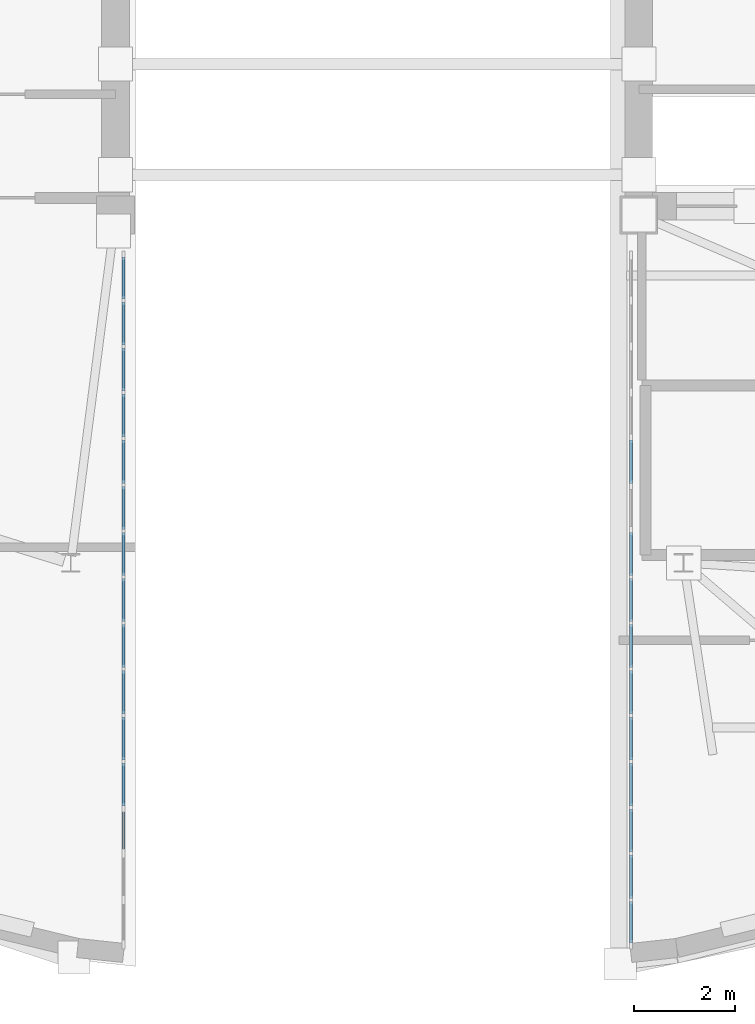
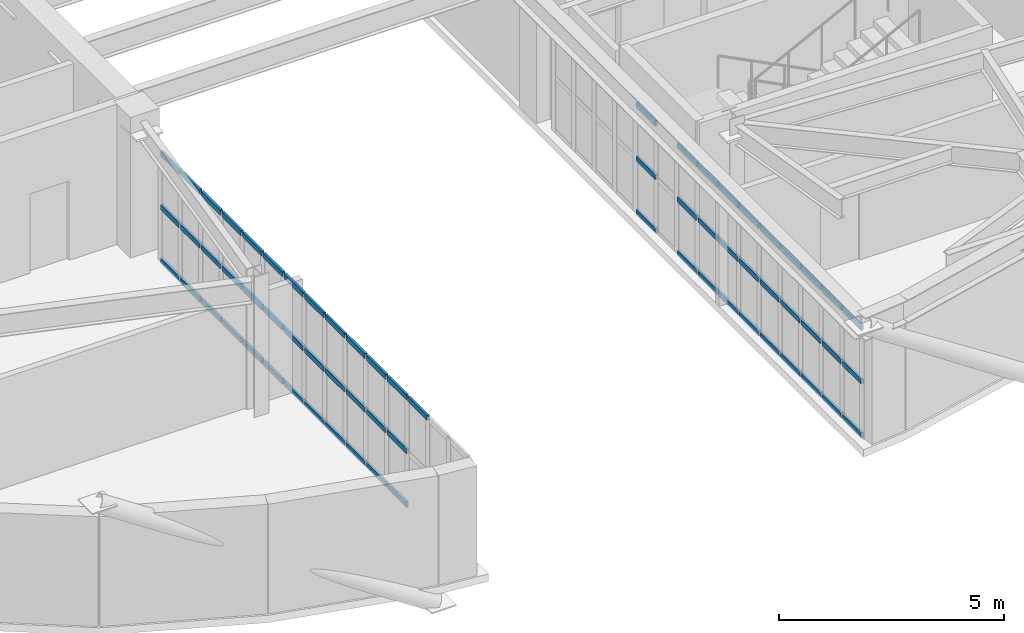
# One storey, part 6 of 13: 67 members, 2 elements without a shape of their own.
"""IFC4 building model written with IfcOpenShell, lengths in metres."""

from ifc_helpers import new_model, si_unit, direction, frame, origin, origin_2d, place, context, subcontext, project, spatial, rectangle, extrude, material, layer, layer_set, material_profile, profile_set, type_object, element, aggregate, save


model = new_model("IFC4")

# Units and contexts
model_context = context("Model", 3, precision=1e-05, world=origin(), true_north=direction((0.0, 1.0)))
body_context = subcontext(model_context, "Body", "Model", "MODEL_VIEW")
ifc_project = project(units=[si_unit("LENGTHUNIT", "METRE"), si_unit("AREAUNIT", "SQUARE_METRE"), si_unit("VOLUMEUNIT", "CUBIC_METRE"), si_unit("PLANEANGLEUNIT", "RADIAN"), si_unit("MASSUNIT", "GRAM", prefix="KILO")], contexts=[model_context])

# Site, building, storey
site_placement = place(None, origin())
site = spatial("IfcSite", under=ifc_project, at=site_placement, CompositionType="ELEMENT")
building_placement = place(site_placement, origin())
building = spatial("IfcBuilding", under=site, at=building_placement, Name="Keldmark Tower", CompositionType="ELEMENT")
storey_placement = place(building_placement, frame((0.0, 0.0, 280.60009765625)))
storey = spatial("IfcBuildingStorey", under=building, at=storey_placement, Name="L79", CompositionType="ELEMENT", Elevation=280.60009765625)

# Curtain wall, members
ifc_material_1 = material(Name="Unitized Thermally Broken Aluminum and Triple Low-E Glazing", Category="aluminium")
ifc_layer = layer(ifc_material_1, 0.219970703125)
ifc_layer_set = layer_set([ifc_layer], Name="Unitized Thermally Broken Aluminum and Triple Low-E Glazing")
curtain_wall_type = type_object("IfcCurtainWallType", Name="Split-Top Crown Lantern Curtain Wall System", PredefinedType="NOTDEFINED", material=ifc_layer_set)
curtain_wall_1_placement = place(storey_placement, origin())
curtain_wall_1 = element("IfcCurtainWall", 1, at=curtain_wall_1_placement, inside=storey, type_object=curtain_wall_type, Name="L79 Split-Top Crown Lantern Curtain Wall System CW-L79-ES14-1", PredefinedType="NOTDEFINED")
ifc_material_2 = material(Name="Extruded Aluminum Alloy 6063-T6", Category="aluminium")
ifc_material_profile = material_profile(ifc_material_2, rectangle(XDim=0.06005859375, YDim=0.139892578125, at=origin_2d()), Name="CWT60X140")
ifc_profile_set = profile_set([ifc_material_profile], Name="Extruded Aluminum Alloy 6063-T6")
member_type = type_object("IfcMemberType", Name="Curtain Wall Horizontal Transom 60x140", PredefinedType="USERDEFINED", material=ifc_profile_set)
member_1_placement = place(storey_placement, frame((5.0400390625, -3.07421875, 0.02978515625), z_axis=(0.0, -1.0, 0.0), x_axis=(1.0, 0.0, 0.0)))
member_1 = element("IfcMember", 2, at=member_1_placement, type_object=member_type, Name="CW transom 5.1", ObjectType="TRANSOM", PredefinedType="USERDEFINED", context=body_context, shape_type="SweptSolid", body=[
    extrude(rectangle(XDim=0.06005859375, YDim=0.139892578125, at=origin_2d()), origin(), (0.0, 0.0, 1.0), 0.8564453125),
])
member_2_placement = place(storey_placement, frame((5.0400390625, -3.07421875, 1.48291015625), z_axis=(0.0, -1.0, 0.0), x_axis=(1.0, 0.0, 0.0)))
member_2 = element("IfcMember", 3, at=member_2_placement, type_object=member_type, Name="CW transom 5.2", ObjectType="TRANSOM", PredefinedType="USERDEFINED", context=body_context, shape_type="SweptSolid", body=[
    extrude(rectangle(XDim=0.06005859375, YDim=0.139892578125, at=origin_2d()), origin(), (0.0, 0.0, 1.0), 0.8564453125),
])
member_3_placement = place(storey_placement, frame((5.0400390625, -3.07421875, 2.935791015625), z_axis=(0.0, -1.0, 0.0), x_axis=(1.0, 0.0, 0.0)))
member_3 = element("IfcMember", 4, at=member_3_placement, type_object=member_type, Name="CW transom 5.3", ObjectType="TRANSOM", PredefinedType="USERDEFINED", context=body_context, shape_type="SweptSolid", body=[
    extrude(rectangle(XDim=0.06005859375, YDim=0.139892578125, at=origin_2d()), origin(), (0.0, 0.0, 1.0), 0.8564453125),
])
member_4_placement = place(storey_placement, frame((5.0400390625, -4.906982421875, 0.02978515625), z_axis=(0.0, -1.0, 0.0), x_axis=(1.0, 0.0, 0.0)))
member_4 = element("IfcMember", 5, at=member_4_placement, type_object=member_type, Name="CW transom 7.1", ObjectType="TRANSOM", PredefinedType="USERDEFINED", context=body_context, shape_type="SweptSolid", body=[
    extrude(rectangle(XDim=0.06005859375, YDim=0.139892578125, at=origin_2d()), origin(), (0.0, 0.0, 1.0), 0.8564453125),
])
member_5_placement = place(storey_placement, frame((5.0400390625, -4.906982421875, 1.48291015625), z_axis=(0.0, -1.0, 0.0), x_axis=(1.0, 0.0, 0.0)))
member_5 = element("IfcMember", 6, at=member_5_placement, type_object=member_type, Name="CW transom 7.2", ObjectType="TRANSOM", PredefinedType="USERDEFINED", context=body_context, shape_type="SweptSolid", body=[
    extrude(rectangle(XDim=0.06005859375, YDim=0.139892578125, at=origin_2d()), origin(), (0.0, 0.0, 1.0), 0.8564453125),
])
member_6_placement = place(storey_placement, frame((5.0400390625, -4.906982421875, 2.935791015625), z_axis=(0.0, -1.0, 0.0), x_axis=(1.0, 0.0, 0.0)))
member_6 = element("IfcMember", 7, at=member_6_placement, type_object=member_type, Name="CW transom 7.3", ObjectType="TRANSOM", PredefinedType="USERDEFINED", context=body_context, shape_type="SweptSolid", body=[
    extrude(rectangle(XDim=0.06005859375, YDim=0.139892578125, at=origin_2d()), origin(), (0.0, 0.0, 1.0), 0.8564453125),
])
member_7_placement = place(storey_placement, frame((5.0400390625, -5.823486328125, 0.02978515625), z_axis=(0.0, -1.0, 0.0), x_axis=(1.0, 0.0, 0.0)))
member_7 = element("IfcMember", 8, at=member_7_placement, type_object=member_type, Name="CW transom 8.1", ObjectType="TRANSOM", PredefinedType="USERDEFINED", context=body_context, shape_type="SweptSolid", body=[
    extrude(rectangle(XDim=0.06005859375, YDim=0.139892578125, at=origin_2d()), origin(), (0.0, 0.0, 1.0), 0.8564453125),
])
member_8_placement = place(storey_placement, frame((5.0400390625, -5.823486328125, 1.48291015625), z_axis=(0.0, -1.0, 0.0), x_axis=(1.0, 0.0, 0.0)))
member_8 = element("IfcMember", 9, at=member_8_placement, type_object=member_type, Name="CW transom 8.2", ObjectType="TRANSOM", PredefinedType="USERDEFINED", context=body_context, shape_type="SweptSolid", body=[
    extrude(rectangle(XDim=0.06005859375, YDim=0.139892578125, at=origin_2d()), origin(), (0.0, 0.0, 1.0), 0.8564453125),
])
member_9_placement = place(storey_placement, frame((5.0400390625, -5.823486328125, 2.935791015625), z_axis=(0.0, -1.0, 0.0), x_axis=(1.0, 0.0, 0.0)))
member_9 = element("IfcMember", 10, at=member_9_placement, type_object=member_type, Name="CW transom 8.3", ObjectType="TRANSOM", PredefinedType="USERDEFINED", context=body_context, shape_type="SweptSolid", body=[
    extrude(rectangle(XDim=0.06005859375, YDim=0.139892578125, at=origin_2d()), origin(), (0.0, 0.0, 1.0), 0.8564453125),
])
member_10_placement = place(storey_placement, frame((5.0400390625, -6.73974609375, 0.02978515625), z_axis=(0.0, -1.0, 0.0), x_axis=(1.0, 0.0, 0.0)))
member_10 = element("IfcMember", 11, at=member_10_placement, type_object=member_type, Name="CW transom 9.1", ObjectType="TRANSOM", PredefinedType="USERDEFINED", context=body_context, shape_type="SweptSolid", body=[
    extrude(rectangle(XDim=0.06005859375, YDim=0.139892578125, at=origin_2d()), origin(), (0.0, 0.0, 1.0), 0.8564453125),
])
member_11_placement = place(storey_placement, frame((5.0400390625, -6.73974609375, 1.48291015625), z_axis=(0.0, -1.0, 0.0), x_axis=(1.0, 0.0, 0.0)))
member_11 = element("IfcMember", 12, at=member_11_placement, type_object=member_type, Name="CW transom 9.2", ObjectType="TRANSOM", PredefinedType="USERDEFINED", context=body_context, shape_type="SweptSolid", body=[
    extrude(rectangle(XDim=0.06005859375, YDim=0.139892578125, at=origin_2d()), origin(), (0.0, 0.0, 1.0), 0.8564453125),
])
member_12_placement = place(storey_placement, frame((5.0400390625, -6.73974609375, 2.935791015625), z_axis=(0.0, -1.0, 0.0), x_axis=(1.0, 0.0, 0.0)))
member_12 = element("IfcMember", 13, at=member_12_placement, type_object=member_type, Name="CW transom 9.3", ObjectType="TRANSOM", PredefinedType="USERDEFINED", context=body_context, shape_type="SweptSolid", body=[
    extrude(rectangle(XDim=0.06005859375, YDim=0.139892578125, at=origin_2d()), origin(), (0.0, 0.0, 1.0), 0.8564453125),
])
member_13_placement = place(storey_placement, frame((5.0400390625, -7.65625, 0.02978515625), z_axis=(0.0, -1.0, 0.0), x_axis=(1.0, 0.0, 0.0)))
member_13 = element("IfcMember", 14, at=member_13_placement, type_object=member_type, Name="CW transom 10.1", ObjectType="TRANSOM", PredefinedType="USERDEFINED", context=body_context, shape_type="SweptSolid", body=[
    extrude(rectangle(XDim=0.06005859375, YDim=0.139892578125, at=origin_2d()), origin(), (0.0, 0.0, 1.0), 0.8564453125),
])
member_14_placement = place(storey_placement, frame((5.0400390625, -7.65625, 1.48291015625), z_axis=(0.0, -1.0, 0.0), x_axis=(1.0, 0.0, 0.0)))
member_14 = element("IfcMember", 15, at=member_14_placement, type_object=member_type, Name="CW transom 10.2", ObjectType="TRANSOM", PredefinedType="USERDEFINED", context=body_context, shape_type="SweptSolid", body=[
    extrude(rectangle(XDim=0.06005859375, YDim=0.139892578125, at=origin_2d()), origin(), (0.0, 0.0, 1.0), 0.8564453125),
])
member_15_placement = place(storey_placement, frame((5.0400390625, -7.65625, 2.935791015625), z_axis=(0.0, -1.0, 0.0), x_axis=(1.0, 0.0, 0.0)))
member_15 = element("IfcMember", 16, at=member_15_placement, type_object=member_type, Name="CW transom 10.3", ObjectType="TRANSOM", PredefinedType="USERDEFINED", context=body_context, shape_type="SweptSolid", body=[
    extrude(rectangle(XDim=0.06005859375, YDim=0.139892578125, at=origin_2d()), origin(), (0.0, 0.0, 1.0), 0.8564453125),
])
member_16_placement = place(storey_placement, frame((5.0400390625, -8.57275390625, 0.02978515625), z_axis=(0.0, -1.0, 0.0), x_axis=(1.0, 0.0, 0.0)))
member_16 = element("IfcMember", 17, at=member_16_placement, type_object=member_type, Name="CW transom 11.1", ObjectType="TRANSOM", PredefinedType="USERDEFINED", context=body_context, shape_type="SweptSolid", body=[
    extrude(rectangle(XDim=0.06005859375, YDim=0.139892578125, at=origin_2d()), origin(), (0.0, 0.0, 1.0), 0.8564453125),
])
member_17_placement = place(storey_placement, frame((5.0400390625, -8.57275390625, 1.48291015625), z_axis=(0.0, -1.0, 0.0), x_axis=(1.0, 0.0, 0.0)))
member_17 = element("IfcMember", 18, at=member_17_placement, type_object=member_type, Name="CW transom 11.2", ObjectType="TRANSOM", PredefinedType="USERDEFINED", context=body_context, shape_type="SweptSolid", body=[
    extrude(rectangle(XDim=0.06005859375, YDim=0.139892578125, at=origin_2d()), origin(), (0.0, 0.0, 1.0), 0.8564453125),
])
member_18_placement = place(storey_placement, frame((5.0400390625, -8.57275390625, 2.935791015625), z_axis=(0.0, -1.0, 0.0), x_axis=(1.0, 0.0, 0.0)))
member_18 = element("IfcMember", 19, at=member_18_placement, type_object=member_type, Name="CW transom 11.3", ObjectType="TRANSOM", PredefinedType="USERDEFINED", context=body_context, shape_type="SweptSolid", body=[
    extrude(rectangle(XDim=0.06005859375, YDim=0.139892578125, at=origin_2d()), origin(), (0.0, 0.0, 1.0), 0.8564453125),
])
member_19_placement = place(storey_placement, frame((5.0400390625, -9.489013671875, 0.02978515625), z_axis=(0.0, -1.0, 0.0), x_axis=(1.0, 0.0, 0.0)))
member_19 = element("IfcMember", 20, at=member_19_placement, type_object=member_type, Name="CW transom 12.1", ObjectType="TRANSOM", PredefinedType="USERDEFINED", context=body_context, shape_type="SweptSolid", body=[
    extrude(rectangle(XDim=0.06005859375, YDim=0.139892578125, at=origin_2d()), origin(), (0.0, 0.0, 1.0), 0.8564453125),
])
member_20_placement = place(storey_placement, frame((5.0400390625, -9.489013671875, 1.48291015625), z_axis=(0.0, -1.0, 0.0), x_axis=(1.0, 0.0, 0.0)))
member_20 = element("IfcMember", 21, at=member_20_placement, type_object=member_type, Name="CW transom 12.2", ObjectType="TRANSOM", PredefinedType="USERDEFINED", context=body_context, shape_type="SweptSolid", body=[
    extrude(rectangle(XDim=0.06005859375, YDim=0.139892578125, at=origin_2d()), origin(), (0.0, 0.0, 1.0), 0.8564453125),
])
member_21_placement = place(storey_placement, frame((5.0400390625, -9.489013671875, 2.935791015625), z_axis=(0.0, -1.0, 0.0), x_axis=(1.0, 0.0, 0.0)))
member_21 = element("IfcMember", 22, at=member_21_placement, type_object=member_type, Name="CW transom 12.3", ObjectType="TRANSOM", PredefinedType="USERDEFINED", context=body_context, shape_type="SweptSolid", body=[
    extrude(rectangle(XDim=0.06005859375, YDim=0.139892578125, at=origin_2d()), origin(), (0.0, 0.0, 1.0), 0.8564453125),
])
member_22_placement = place(storey_placement, frame((5.0400390625, -10.405517578125, 0.02978515625), z_axis=(0.0, -1.0, 0.0), x_axis=(1.0, 0.0, 0.0)))
member_22 = element("IfcMember", 23, at=member_22_placement, type_object=member_type, Name="CW transom 13.1", ObjectType="TRANSOM", PredefinedType="USERDEFINED", context=body_context, shape_type="SweptSolid", body=[
    extrude(rectangle(XDim=0.06005859375, YDim=0.139892578125, at=origin_2d()), origin(), (0.0, 0.0, 1.0), 0.8564453125),
])
member_23_placement = place(storey_placement, frame((5.0400390625, -10.405517578125, 1.48291015625), z_axis=(0.0, -1.0, 0.0), x_axis=(1.0, 0.0, 0.0)))
member_23 = element("IfcMember", 24, at=member_23_placement, type_object=member_type, Name="CW transom 13.2", ObjectType="TRANSOM", PredefinedType="USERDEFINED", context=body_context, shape_type="SweptSolid", body=[
    extrude(rectangle(XDim=0.06005859375, YDim=0.139892578125, at=origin_2d()), origin(), (0.0, 0.0, 1.0), 0.8564453125),
])
member_24_placement = place(storey_placement, frame((5.0400390625, -10.405517578125, 2.935791015625), z_axis=(0.0, -1.0, 0.0), x_axis=(1.0, 0.0, 0.0)))
member_24 = element("IfcMember", 25, at=member_24_placement, type_object=member_type, Name="CW transom 13.3", ObjectType="TRANSOM", PredefinedType="USERDEFINED", context=body_context, shape_type="SweptSolid", body=[
    extrude(rectangle(XDim=0.06005859375, YDim=0.139892578125, at=origin_2d()), origin(), (0.0, 0.0, 1.0), 0.8564453125),
])
member_25_placement = place(storey_placement, frame((5.0400390625, -11.322021484375, 0.02978515625), z_axis=(0.0, -1.0, 0.0), x_axis=(1.0, 0.0, 0.0)))
member_25 = element("IfcMember", 26, at=member_25_placement, type_object=member_type, Name="CW transom 14.1", ObjectType="TRANSOM", PredefinedType="USERDEFINED", context=body_context, shape_type="SweptSolid", body=[
    extrude(rectangle(XDim=0.06005859375, YDim=0.139892578125, at=origin_2d()), origin(), (0.0, 0.0, 1.0), 0.8564453125),
])
member_26_placement = place(storey_placement, frame((5.0400390625, -11.322021484375, 1.48291015625), z_axis=(0.0, -1.0, 0.0), x_axis=(1.0, 0.0, 0.0)))
member_26 = element("IfcMember", 27, at=member_26_placement, type_object=member_type, Name="CW transom 14.2", ObjectType="TRANSOM", PredefinedType="USERDEFINED", context=body_context, shape_type="SweptSolid", body=[
    extrude(rectangle(XDim=0.06005859375, YDim=0.139892578125, at=origin_2d()), origin(), (0.0, 0.0, 1.0), 0.8564453125),
])
member_27_placement = place(storey_placement, frame((5.0400390625, -11.322021484375, 2.935791015625), z_axis=(0.0, -1.0, 0.0), x_axis=(1.0, 0.0, 0.0)))
member_27 = element("IfcMember", 28, at=member_27_placement, type_object=member_type, Name="CW transom 14.3", ObjectType="TRANSOM", PredefinedType="USERDEFINED", context=body_context, shape_type="SweptSolid", body=[
    extrude(rectangle(XDim=0.06005859375, YDim=0.139892578125, at=origin_2d()), origin(), (0.0, 0.0, 1.0), 0.8564453125),
])
member_28_placement = place(storey_placement, frame((5.0400390625, -12.23828125, 0.02978515625), z_axis=(0.0, -1.0, 0.0), x_axis=(1.0, 0.0, 0.0)))
member_28 = element("IfcMember", 29, at=member_28_placement, type_object=member_type, Name="CW transom 15.1", ObjectType="TRANSOM", PredefinedType="USERDEFINED", context=body_context, shape_type="SweptSolid", body=[
    extrude(rectangle(XDim=0.06005859375, YDim=0.139892578125, at=origin_2d()), origin(), (0.0, 0.0, 1.0), 0.826416015625),
])
member_29_placement = place(storey_placement, frame((5.0400390625, -12.23828125, 1.48291015625), z_axis=(0.0, -1.0, 0.0), x_axis=(1.0, 0.0, 0.0)))
member_29 = element("IfcMember", 30, at=member_29_placement, type_object=member_type, Name="CW transom 15.2", ObjectType="TRANSOM", PredefinedType="USERDEFINED", context=body_context, shape_type="SweptSolid", body=[
    extrude(rectangle(XDim=0.06005859375, YDim=0.139892578125, at=origin_2d()), origin(), (0.0, 0.0, 1.0), 0.826416015625),
])
member_30_placement = place(storey_placement, frame((5.0400390625, -12.23828125, 2.935791015625), z_axis=(0.0, -1.0, 0.0), x_axis=(1.0, 0.0, 0.0)))
member_30 = element("IfcMember", 31, at=member_30_placement, type_object=member_type, Name="CW transom 15.3", ObjectType="TRANSOM", PredefinedType="USERDEFINED", context=body_context, shape_type="SweptSolid", body=[
    extrude(rectangle(XDim=0.06005859375, YDim=0.139892578125, at=origin_2d()), origin(), (0.0, 0.0, 1.0), 0.826416015625),
])
aggregate(curtain_wall_1, [member_1, member_2, member_3, member_4, member_5, member_6, member_7, member_8, member_9, member_10, member_11, member_12, member_13, member_14, member_15, member_16, member_17, member_18, member_19, member_20, member_21, member_22, member_23, member_24, member_25, member_26, member_27, member_28, member_29, member_30])

curtain_wall_2_placement = place(storey_placement, origin())
curtain_wall_2 = element("IfcCurtainWall", 32, at=curtain_wall_2_placement, inside=storey, type_object=curtain_wall_type, Name="L79 Split-Top Crown Lantern Curtain Wall System CW-L79-WS14-0", PredefinedType="NOTDEFINED")
member_31_placement = place(storey_placement, frame((-5.0400390625, -11.261962890625, 2.935791015625), z_axis=(0.0, 1.0, 0.0), x_axis=(-1.0, 0.0, 0.0)))
member_31 = element("IfcMember", 33, at=member_31_placement, type_object=member_type, Name="CW transom 3.3", ObjectType="TRANSOM", PredefinedType="USERDEFINED", context=body_context, shape_type="SweptSolid", body=[
    extrude(rectangle(XDim=0.06005859375, YDim=0.139892578125, at=origin_2d()), origin(), (0.0, 0.0, 1.0), 0.8564453125),
])
member_32_placement = place(storey_placement, frame((-5.0400390625, -10.345458984375, 0.02978515625), z_axis=(0.0, 1.0, 0.0), x_axis=(-1.0, 0.0, 0.0)))
member_32 = element("IfcMember", 34, at=member_32_placement, type_object=member_type, Name="CW transom 4.1", ObjectType="TRANSOM", PredefinedType="USERDEFINED", context=body_context, shape_type="SweptSolid", body=[
    extrude(rectangle(XDim=0.06005859375, YDim=0.139892578125, at=origin_2d()), origin(), (0.0, 0.0, 1.0), 0.8564453125),
])
member_33_placement = place(storey_placement, frame((-5.0400390625, -10.345458984375, 1.48291015625), z_axis=(0.0, 1.0, 0.0), x_axis=(-1.0, 0.0, 0.0)))
member_33 = element("IfcMember", 35, at=member_33_placement, type_object=member_type, Name="CW transom 4.2", ObjectType="TRANSOM", PredefinedType="USERDEFINED", context=body_context, shape_type="SweptSolid", body=[
    extrude(rectangle(XDim=0.06005859375, YDim=0.139892578125, at=origin_2d()), origin(), (0.0, 0.0, 1.0), 0.8564453125),
])
member_34_placement = place(storey_placement, frame((-5.0400390625, -10.345458984375, 2.935791015625), z_axis=(0.0, 1.0, 0.0), x_axis=(-1.0, 0.0, 0.0)))
member_34 = element("IfcMember", 36, at=member_34_placement, type_object=member_type, Name="CW transom 4.3", ObjectType="TRANSOM", PredefinedType="USERDEFINED", context=body_context, shape_type="SweptSolid", body=[
    extrude(rectangle(XDim=0.06005859375, YDim=0.139892578125, at=origin_2d()), origin(), (0.0, 0.0, 1.0), 0.8564453125),
])
member_35_placement = place(storey_placement, frame((-5.0400390625, -9.42919921875, 0.02978515625), z_axis=(0.0, 1.0, 0.0), x_axis=(-1.0, 0.0, 0.0)))
member_35 = element("IfcMember", 37, at=member_35_placement, type_object=member_type, Name="CW transom 5.1", ObjectType="TRANSOM", PredefinedType="USERDEFINED", context=body_context, shape_type="SweptSolid", body=[
    extrude(rectangle(XDim=0.06005859375, YDim=0.139892578125, at=origin_2d()), origin(), (0.0, 0.0, 1.0), 0.8564453125),
])
member_36_placement = place(storey_placement, frame((-5.0400390625, -9.42919921875, 1.48291015625), z_axis=(0.0, 1.0, 0.0), x_axis=(-1.0, 0.0, 0.0)))
member_36 = element("IfcMember", 38, at=member_36_placement, type_object=member_type, Name="CW transom 5.2", ObjectType="TRANSOM", PredefinedType="USERDEFINED", context=body_context, shape_type="SweptSolid", body=[
    extrude(rectangle(XDim=0.06005859375, YDim=0.139892578125, at=origin_2d()), origin(), (0.0, 0.0, 1.0), 0.8564453125),
])
member_37_placement = place(storey_placement, frame((-5.0400390625, -9.42919921875, 2.935791015625), z_axis=(0.0, 1.0, 0.0), x_axis=(-1.0, 0.0, 0.0)))
member_37 = element("IfcMember", 39, at=member_37_placement, type_object=member_type, Name="CW transom 5.3", ObjectType="TRANSOM", PredefinedType="USERDEFINED", context=body_context, shape_type="SweptSolid", body=[
    extrude(rectangle(XDim=0.06005859375, YDim=0.139892578125, at=origin_2d()), origin(), (0.0, 0.0, 1.0), 0.8564453125),
])
member_38_placement = place(storey_placement, frame((-5.0400390625, -8.5126953125, 0.02978515625), z_axis=(0.0, 1.0, 0.0), x_axis=(-1.0, 0.0, 0.0)))
member_38 = element("IfcMember", 40, at=member_38_placement, type_object=member_type, Name="CW transom 6.1", ObjectType="TRANSOM", PredefinedType="USERDEFINED", context=body_context, shape_type="SweptSolid", body=[
    extrude(rectangle(XDim=0.06005859375, YDim=0.139892578125, at=origin_2d()), origin(), (0.0, 0.0, 1.0), 0.8564453125),
])
member_39_placement = place(storey_placement, frame((-5.0400390625, -8.5126953125, 1.48291015625), z_axis=(0.0, 1.0, 0.0), x_axis=(-1.0, 0.0, 0.0)))
member_39 = element("IfcMember", 41, at=member_39_placement, type_object=member_type, Name="CW transom 6.2", ObjectType="TRANSOM", PredefinedType="USERDEFINED", context=body_context, shape_type="SweptSolid", body=[
    extrude(rectangle(XDim=0.06005859375, YDim=0.139892578125, at=origin_2d()), origin(), (0.0, 0.0, 1.0), 0.8564453125),
])
member_40_placement = place(storey_placement, frame((-5.0400390625, -8.5126953125, 2.935791015625), z_axis=(0.0, 1.0, 0.0), x_axis=(-1.0, 0.0, 0.0)))
member_40 = element("IfcMember", 42, at=member_40_placement, type_object=member_type, Name="CW transom 6.3", ObjectType="TRANSOM", PredefinedType="USERDEFINED", context=body_context, shape_type="SweptSolid", body=[
    extrude(rectangle(XDim=0.06005859375, YDim=0.139892578125, at=origin_2d()), origin(), (0.0, 0.0, 1.0), 0.8564453125),
])
member_41_placement = place(storey_placement, frame((-5.0400390625, -7.59619140625, 0.02978515625), z_axis=(0.0, 1.0, 0.0), x_axis=(-1.0, 0.0, 0.0)))
member_41 = element("IfcMember", 43, at=member_41_placement, type_object=member_type, Name="CW transom 7.1", ObjectType="TRANSOM", PredefinedType="USERDEFINED", context=body_context, shape_type="SweptSolid", body=[
    extrude(rectangle(XDim=0.06005859375, YDim=0.139892578125, at=origin_2d()), origin(), (0.0, 0.0, 1.0), 0.8564453125),
])
member_42_placement = place(storey_placement, frame((-5.0400390625, -7.59619140625, 1.48291015625), z_axis=(0.0, 1.0, 0.0), x_axis=(-1.0, 0.0, 0.0)))
member_42 = element("IfcMember", 44, at=member_42_placement, type_object=member_type, Name="CW transom 7.2", ObjectType="TRANSOM", PredefinedType="USERDEFINED", context=body_context, shape_type="SweptSolid", body=[
    extrude(rectangle(XDim=0.06005859375, YDim=0.139892578125, at=origin_2d()), origin(), (0.0, 0.0, 1.0), 0.8564453125),
])
member_43_placement = place(storey_placement, frame((-5.0400390625, -7.59619140625, 2.935791015625), z_axis=(0.0, 1.0, 0.0), x_axis=(-1.0, 0.0, 0.0)))
member_43 = element("IfcMember", 45, at=member_43_placement, type_object=member_type, Name="CW transom 7.3", ObjectType="TRANSOM", PredefinedType="USERDEFINED", context=body_context, shape_type="SweptSolid", body=[
    extrude(rectangle(XDim=0.06005859375, YDim=0.139892578125, at=origin_2d()), origin(), (0.0, 0.0, 1.0), 0.8564453125),
])
member_44_placement = place(storey_placement, frame((-5.0400390625, -6.679931640625, 0.02978515625), z_axis=(0.0, 1.0, 0.0), x_axis=(-1.0, 0.0, 0.0)))
member_44 = element("IfcMember", 46, at=member_44_placement, type_object=member_type, Name="CW transom 8.1", ObjectType="TRANSOM", PredefinedType="USERDEFINED", context=body_context, shape_type="SweptSolid", body=[
    extrude(rectangle(XDim=0.06005859375, YDim=0.139892578125, at=origin_2d()), origin(), (0.0, 0.0, 1.0), 0.8564453125),
])
member_45_placement = place(storey_placement, frame((-5.0400390625, -6.679931640625, 1.48291015625), z_axis=(0.0, 1.0, 0.0), x_axis=(-1.0, 0.0, 0.0)))
member_45 = element("IfcMember", 47, at=member_45_placement, type_object=member_type, Name="CW transom 8.2", ObjectType="TRANSOM", PredefinedType="USERDEFINED", context=body_context, shape_type="SweptSolid", body=[
    extrude(rectangle(XDim=0.06005859375, YDim=0.139892578125, at=origin_2d()), origin(), (0.0, 0.0, 1.0), 0.8564453125),
])
member_46_placement = place(storey_placement, frame((-5.0400390625, -6.679931640625, 2.935791015625), z_axis=(0.0, 1.0, 0.0), x_axis=(-1.0, 0.0, 0.0)))
member_46 = element("IfcMember", 48, at=member_46_placement, type_object=member_type, Name="CW transom 8.3", ObjectType="TRANSOM", PredefinedType="USERDEFINED", context=body_context, shape_type="SweptSolid", body=[
    extrude(rectangle(XDim=0.06005859375, YDim=0.139892578125, at=origin_2d()), origin(), (0.0, 0.0, 1.0), 0.8564453125),
])
member_47_placement = place(storey_placement, frame((-5.0400390625, -5.763427734375, 0.02978515625), z_axis=(0.0, 1.0, 0.0), x_axis=(-1.0, 0.0, 0.0)))
member_47 = element("IfcMember", 49, at=member_47_placement, type_object=member_type, Name="CW transom 9.1", ObjectType="TRANSOM", PredefinedType="USERDEFINED", context=body_context, shape_type="SweptSolid", body=[
    extrude(rectangle(XDim=0.06005859375, YDim=0.139892578125, at=origin_2d()), origin(), (0.0, 0.0, 1.0), 0.8564453125),
])
member_48_placement = place(storey_placement, frame((-5.0400390625, -5.763427734375, 1.48291015625), z_axis=(0.0, 1.0, 0.0), x_axis=(-1.0, 0.0, 0.0)))
member_48 = element("IfcMember", 50, at=member_48_placement, type_object=member_type, Name="CW transom 9.2", ObjectType="TRANSOM", PredefinedType="USERDEFINED", context=body_context, shape_type="SweptSolid", body=[
    extrude(rectangle(XDim=0.06005859375, YDim=0.139892578125, at=origin_2d()), origin(), (0.0, 0.0, 1.0), 0.8564453125),
])
member_49_placement = place(storey_placement, frame((-5.0400390625, -5.763427734375, 2.935791015625), z_axis=(0.0, 1.0, 0.0), x_axis=(-1.0, 0.0, 0.0)))
member_49 = element("IfcMember", 51, at=member_49_placement, type_object=member_type, Name="CW transom 9.3", ObjectType="TRANSOM", PredefinedType="USERDEFINED", context=body_context, shape_type="SweptSolid", body=[
    extrude(rectangle(XDim=0.06005859375, YDim=0.139892578125, at=origin_2d()), origin(), (0.0, 0.0, 1.0), 0.8564453125),
])
member_50_placement = place(storey_placement, frame((-5.0400390625, -4.846923828125, 0.02978515625), z_axis=(0.0, 1.0, 0.0), x_axis=(-1.0, 0.0, 0.0)))
member_50 = element("IfcMember", 52, at=member_50_placement, type_object=member_type, Name="CW transom 10.1", ObjectType="TRANSOM", PredefinedType="USERDEFINED", context=body_context, shape_type="SweptSolid", body=[
    extrude(rectangle(XDim=0.06005859375, YDim=0.139892578125, at=origin_2d()), origin(), (0.0, 0.0, 1.0), 0.8564453125),
])
member_51_placement = place(storey_placement, frame((-5.0400390625, -4.846923828125, 1.48291015625), z_axis=(0.0, 1.0, 0.0), x_axis=(-1.0, 0.0, 0.0)))
member_51 = element("IfcMember", 53, at=member_51_placement, type_object=member_type, Name="CW transom 10.2", ObjectType="TRANSOM", PredefinedType="USERDEFINED", context=body_context, shape_type="SweptSolid", body=[
    extrude(rectangle(XDim=0.06005859375, YDim=0.139892578125, at=origin_2d()), origin(), (0.0, 0.0, 1.0), 0.8564453125),
])
member_52_placement = place(storey_placement, frame((-5.0400390625, -4.846923828125, 2.935791015625), z_axis=(0.0, 1.0, 0.0), x_axis=(-1.0, 0.0, 0.0)))
member_52 = element("IfcMember", 54, at=member_52_placement, type_object=member_type, Name="CW transom 10.3", ObjectType="TRANSOM", PredefinedType="USERDEFINED", context=body_context, shape_type="SweptSolid", body=[
    extrude(rectangle(XDim=0.06005859375, YDim=0.139892578125, at=origin_2d()), origin(), (0.0, 0.0, 1.0), 0.8564453125),
])
member_53_placement = place(storey_placement, frame((-5.0400390625, -3.9306640625, 0.02978515625), z_axis=(0.0, 1.0, 0.0), x_axis=(-1.0, 0.0, 0.0)))
member_53 = element("IfcMember", 55, at=member_53_placement, type_object=member_type, Name="CW transom 11.1", ObjectType="TRANSOM", PredefinedType="USERDEFINED", context=body_context, shape_type="SweptSolid", body=[
    extrude(rectangle(XDim=0.06005859375, YDim=0.139892578125, at=origin_2d()), origin(), (0.0, 0.0, 1.0), 0.8564453125),
])
member_54_placement = place(storey_placement, frame((-5.0400390625, -3.9306640625, 1.48291015625), z_axis=(0.0, 1.0, 0.0), x_axis=(-1.0, 0.0, 0.0)))
member_54 = element("IfcMember", 56, at=member_54_placement, type_object=member_type, Name="CW transom 11.2", ObjectType="TRANSOM", PredefinedType="USERDEFINED", context=body_context, shape_type="SweptSolid", body=[
    extrude(rectangle(XDim=0.06005859375, YDim=0.139892578125, at=origin_2d()), origin(), (0.0, 0.0, 1.0), 0.8564453125),
])
member_55_placement = place(storey_placement, frame((-5.0400390625, -3.9306640625, 2.935791015625), z_axis=(0.0, 1.0, 0.0), x_axis=(-1.0, 0.0, 0.0)))
member_55 = element("IfcMember", 57, at=member_55_placement, type_object=member_type, Name="CW transom 11.3", ObjectType="TRANSOM", PredefinedType="USERDEFINED", context=body_context, shape_type="SweptSolid", body=[
    extrude(rectangle(XDim=0.06005859375, YDim=0.139892578125, at=origin_2d()), origin(), (0.0, 0.0, 1.0), 0.8564453125),
])
member_56_placement = place(storey_placement, frame((-5.0400390625, -3.01416015625, 0.02978515625), z_axis=(0.0, 1.0, 0.0), x_axis=(-1.0, 0.0, 0.0)))
member_56 = element("IfcMember", 58, at=member_56_placement, type_object=member_type, Name="CW transom 12.1", ObjectType="TRANSOM", PredefinedType="USERDEFINED", context=body_context, shape_type="SweptSolid", body=[
    extrude(rectangle(XDim=0.06005859375, YDim=0.139892578125, at=origin_2d()), origin(), (0.0, 0.0, 1.0), 0.8564453125),
])
member_57_placement = place(storey_placement, frame((-5.0400390625, -3.01416015625, 1.48291015625), z_axis=(0.0, 1.0, 0.0), x_axis=(-1.0, 0.0, 0.0)))
member_57 = element("IfcMember", 59, at=member_57_placement, type_object=member_type, Name="CW transom 12.2", ObjectType="TRANSOM", PredefinedType="USERDEFINED", context=body_context, shape_type="SweptSolid", body=[
    extrude(rectangle(XDim=0.06005859375, YDim=0.139892578125, at=origin_2d()), origin(), (0.0, 0.0, 1.0), 0.8564453125),
])
member_58_placement = place(storey_placement, frame((-5.0400390625, -3.01416015625, 2.935791015625), z_axis=(0.0, 1.0, 0.0), x_axis=(-1.0, 0.0, 0.0)))
member_58 = element("IfcMember", 60, at=member_58_placement, type_object=member_type, Name="CW transom 12.3", ObjectType="TRANSOM", PredefinedType="USERDEFINED", context=body_context, shape_type="SweptSolid", body=[
    extrude(rectangle(XDim=0.06005859375, YDim=0.139892578125, at=origin_2d()), origin(), (0.0, 0.0, 1.0), 0.8564453125),
])
member_59_placement = place(storey_placement, frame((-5.0400390625, -2.09765625, 0.02978515625), z_axis=(0.0, 1.0, 0.0), x_axis=(-1.0, 0.0, 0.0)))
member_59 = element("IfcMember", 61, at=member_59_placement, type_object=member_type, Name="CW transom 13.1", ObjectType="TRANSOM", PredefinedType="USERDEFINED", context=body_context, shape_type="SweptSolid", body=[
    extrude(rectangle(XDim=0.06005859375, YDim=0.139892578125, at=origin_2d()), origin(), (0.0, 0.0, 1.0), 0.856201171875),
])
member_60_placement = place(storey_placement, frame((-5.0400390625, -2.09765625, 1.48291015625), z_axis=(0.0, 1.0, 0.0), x_axis=(-1.0, 0.0, 0.0)))
member_60 = element("IfcMember", 62, at=member_60_placement, type_object=member_type, Name="CW transom 13.2", ObjectType="TRANSOM", PredefinedType="USERDEFINED", context=body_context, shape_type="SweptSolid", body=[
    extrude(rectangle(XDim=0.06005859375, YDim=0.139892578125, at=origin_2d()), origin(), (0.0, 0.0, 1.0), 0.856201171875),
])
member_61_placement = place(storey_placement, frame((-5.0400390625, -2.09765625, 2.935791015625), z_axis=(0.0, 1.0, 0.0), x_axis=(-1.0, 0.0, 0.0)))
member_61 = element("IfcMember", 63, at=member_61_placement, type_object=member_type, Name="CW transom 13.3", ObjectType="TRANSOM", PredefinedType="USERDEFINED", context=body_context, shape_type="SweptSolid", body=[
    extrude(rectangle(XDim=0.06005859375, YDim=0.139892578125, at=origin_2d()), origin(), (0.0, 0.0, 1.0), 0.856201171875),
])
member_62_placement = place(storey_placement, frame((-5.0400390625, -1.181396484375, 0.02978515625), z_axis=(0.0, 1.0, 0.0), x_axis=(-1.0, 0.0, 0.0)))
member_62 = element("IfcMember", 64, at=member_62_placement, type_object=member_type, Name="CW transom 14.1", ObjectType="TRANSOM", PredefinedType="USERDEFINED", context=body_context, shape_type="SweptSolid", body=[
    extrude(rectangle(XDim=0.06005859375, YDim=0.139892578125, at=origin_2d()), origin(), (0.0, 0.0, 1.0), 0.8564453125),
])
member_63_placement = place(storey_placement, frame((-5.0400390625, -1.181396484375, 1.48291015625), z_axis=(0.0, 1.0, 0.0), x_axis=(-1.0, 0.0, 0.0)))
member_63 = element("IfcMember", 65, at=member_63_placement, type_object=member_type, Name="CW transom 14.2", ObjectType="TRANSOM", PredefinedType="USERDEFINED", context=body_context, shape_type="SweptSolid", body=[
    extrude(rectangle(XDim=0.06005859375, YDim=0.139892578125, at=origin_2d()), origin(), (0.0, 0.0, 1.0), 0.8564453125),
])
member_64_placement = place(storey_placement, frame((-5.0400390625, -1.181396484375, 2.935791015625), z_axis=(0.0, 1.0, 0.0), x_axis=(-1.0, 0.0, 0.0)))
member_64 = element("IfcMember", 66, at=member_64_placement, type_object=member_type, Name="CW transom 14.3", ObjectType="TRANSOM", PredefinedType="USERDEFINED", context=body_context, shape_type="SweptSolid", body=[
    extrude(rectangle(XDim=0.06005859375, YDim=0.139892578125, at=origin_2d()), origin(), (0.0, 0.0, 1.0), 0.8564453125),
])
member_65_placement = place(storey_placement, frame((-5.0400390625, -0.264892578125, 0.02978515625), z_axis=(0.0, 1.0, 0.0), x_axis=(-1.0, 0.0, 0.0)))
member_65 = element("IfcMember", 67, at=member_65_placement, type_object=member_type, Name="CW transom 15.1", ObjectType="TRANSOM", PredefinedType="USERDEFINED", context=body_context, shape_type="SweptSolid", body=[
    extrude(rectangle(XDim=0.06005859375, YDim=0.139892578125, at=origin_2d()), origin(), (0.0, 0.0, 1.0), 0.826416015625),
])
member_66_placement = place(storey_placement, frame((-5.0400390625, -0.264892578125, 1.48291015625), z_axis=(0.0, 1.0, 0.0), x_axis=(-1.0, 0.0, 0.0)))
member_66 = element("IfcMember", 68, at=member_66_placement, type_object=member_type, Name="CW transom 15.2", ObjectType="TRANSOM", PredefinedType="USERDEFINED", context=body_context, shape_type="SweptSolid", body=[
    extrude(rectangle(XDim=0.06005859375, YDim=0.139892578125, at=origin_2d()), origin(), (0.0, 0.0, 1.0), 0.826416015625),
])
member_67_placement = place(storey_placement, frame((-5.0400390625, -0.264892578125, 2.935791015625), z_axis=(0.0, 1.0, 0.0), x_axis=(-1.0, 0.0, 0.0)))
member_67 = element("IfcMember", 69, at=member_67_placement, type_object=member_type, Name="CW transom 15.3", ObjectType="TRANSOM", PredefinedType="USERDEFINED", context=body_context, shape_type="SweptSolid", body=[
    extrude(rectangle(XDim=0.06005859375, YDim=0.139892578125, at=origin_2d()), origin(), (0.0, 0.0, 1.0), 0.826416015625),
])
aggregate(curtain_wall_2, [member_31, member_32, member_33, member_34, member_35, member_36, member_37, member_38, member_39, member_40, member_41, member_42, member_43, member_44, member_45, member_46, member_47, member_48, member_49, member_50, member_51, member_52, member_53, member_54, member_55, member_56, member_57, member_58, member_59, member_60, member_61, member_62, member_63, member_64, member_65, member_66, member_67])

save(model, "model.ifc")
